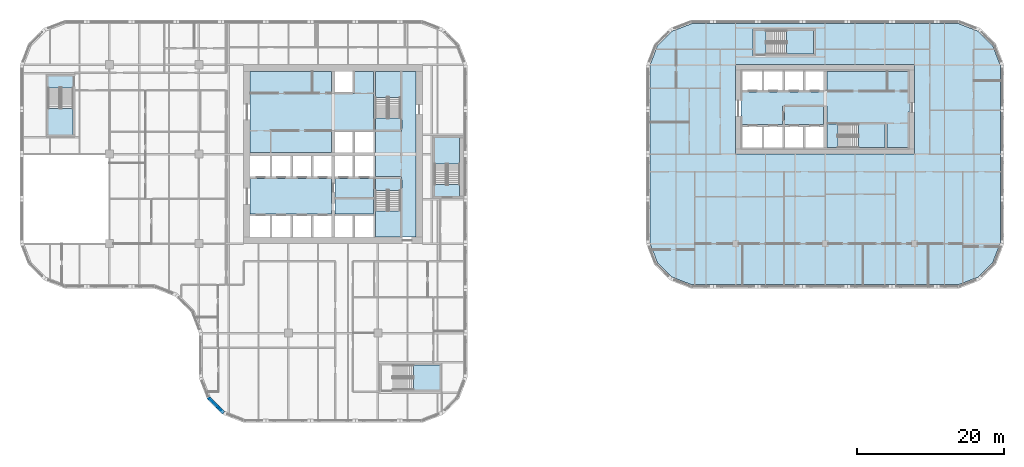
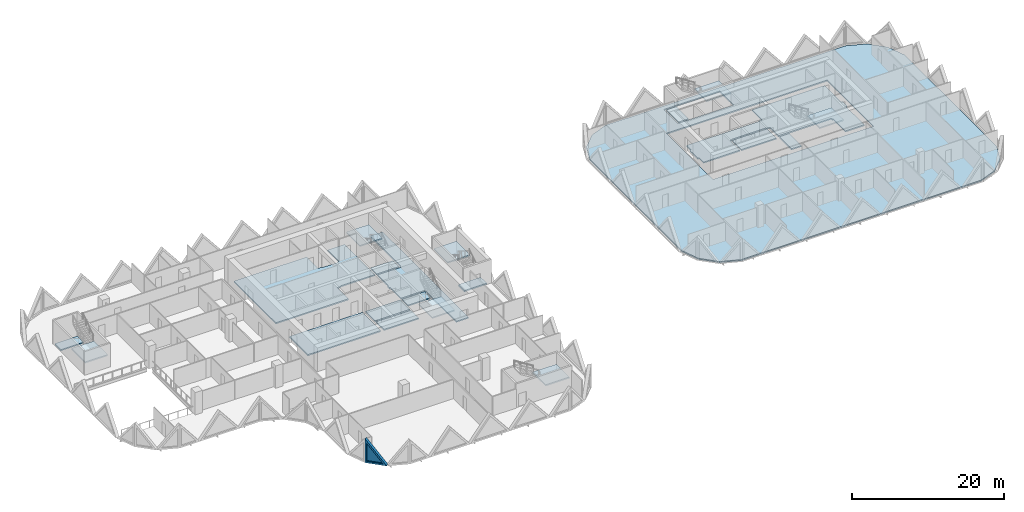
# One storey, part 3 of 19: 21 slabs, 1 plate, 1 wall, 1 opening, 7 elements without a shape of their own.
"""IFC4 building model written with IfcOpenShell, lengths in metres."""

from ifc_helpers import new_model, si_unit, direction, frame, origin, place, context, subcontext, project, spatial, polyline, outline, extrude, faceted_brep, source, transform, mapped, material, layer, layer_set, type_object, element, fill, aggregate, save


model = new_model("IFC4")

# Units and contexts
model_context = context("Model", 3, precision=1e-05, world=origin(), true_north=direction((0.0, 1.0)))
body_context = subcontext(model_context, "Body", "Model", "MODEL_VIEW")
ifc_project = project(units=[si_unit("LENGTHUNIT", "METRE"), si_unit("AREAUNIT", "SQUARE_METRE"), si_unit("VOLUMEUNIT", "CUBIC_METRE"), si_unit("PLANEANGLEUNIT", "RADIAN"), si_unit("MASSUNIT", "GRAM", prefix="KILO")], contexts=[model_context])

# Site, building, storey
site_placement = place(None, origin())
site = spatial("IfcSite", under=ifc_project, at=site_placement, CompositionType="ELEMENT")
building_placement = place(site_placement, origin())
building = spatial("IfcBuilding", under=site, at=building_placement, Name="Tessera Gate Towers", CompositionType="ELEMENT")
storey_placement = place(building_placement, frame((0.0, 0.0, 25.800048828125)))
storey = spatial("IfcBuildingStorey", under=building, at=storey_placement, Name="L05", CompositionType="ELEMENT", Elevation=25.800048828125)

# Slabs
ifc_material_1 = material(Name="Concrete C35/45", Category="concrete")
ifc_layer_1 = layer(ifc_material_1, 0.199951171875)
ifc_layer_set_1 = layer_set([ifc_layer_1], Name="COMPOSITE FLOOR 200")
slab_type_1 = type_object("IfcSlabType", Name="COMPOSITE FLOOR 200", PredefinedType="FLOOR", material=ifc_layer_set_1)
slab_1_placement = place(storey_placement, frame((0.0, 0.0, -0.199951171875)))
element("IfcSlab", 1, at=slab_1_placement, inside=storey, type_object=slab_type_1, Name="T2-L05", PredefinedType="FLOOR", context=body_context, shape_type="SweptSolid", body=[
    extrude(outline(polyline([(85.89990234375, 24.4931640625), (86.926025390625, 21.8330078125), (88.93310546875, 19.826171875), (91.593017578125, 18.800048828125), (128.0068359375, 18.800048828125), (130.6669921875, 19.826171875), (132.673828125, 21.8330078125), (133.699951171875, 24.4931640625), (133.699951171875, 48.706787109375), (132.673828125, 51.366943359375), (130.6669921875, 53.373779296875), (128.0068359375, 54.39990234375), (91.593017578125, 54.39990234375), (88.93310546875, 53.373779296875), (86.926025390625, 51.366943359375), (85.89990234375, 48.706787109375), (85.89990234375, 24.4931640625)]), holes=[polyline([(97.60009765625, 36.60009765625), (97.60009765625, 48.800048828125), (122.0, 48.800048828125), (122.0, 36.60009765625), (97.60009765625, 36.60009765625)]), polyline([(100.0, 50.0), (100.0, 53.699951171875), (108.5, 53.699951171875), (108.5, 50.0), (100.0, 50.0)])]), origin(), (0.0, 0.0, 1.0), 0.199951171875),
])
ifc_material_2 = material(Name="Concrete C35/45", Category="concrete")
ifc_layer_2 = layer(ifc_material_2, 0.199951171875)
ifc_layer_set_2 = layer_set([ifc_layer_2], Name="CORE FLOOR SLAB 200")
slab_type_2 = type_object("IfcSlabType", Name="CORE FLOOR SLAB 200", PredefinedType="FLOOR", material=ifc_layer_set_2)
slab_2_placement = place(storey_placement, frame((0.0, 0.0, -0.199951171875)))
element("IfcSlab", 2, at=slab_2_placement, inside=storey, type_object=slab_type_2, Name="L05 core floor slab", PredefinedType="FLOOR", context=body_context, shape_type="SweptSolid", body=[
    extrude(outline(polyline([(31.39990234375, 47.89990234375), (31.39990234375, 36.85009765625), (42.449951171875, 36.85009765625), (42.449951171875, 39.800048828125), (42.949951171875, 39.800048828125), (42.949951171875, 39.925048828125), (48.22509765625, 39.925048828125), (48.22509765625, 47.89990234375), (45.64990234375, 47.89990234375), (45.64990234375, 44.89990234375), (45.39990234375, 44.89990234375), (45.39990234375, 44.77490234375), (42.949951171875, 44.77490234375), (42.949951171875, 44.89990234375), (42.449951171875, 44.89990234375), (42.449951171875, 47.89990234375), (31.39990234375, 47.89990234375)])), origin(), (0.0, 0.0, 1.0), 0.199951171875),
])
slab_3_placement = place(storey_placement, frame((0.0, 0.0, -0.199951171875)))
element("IfcSlab", 3, at=slab_3_placement, inside=storey, type_object=slab_type_2, Name="L05 core floor slab", PredefinedType="FLOOR", context=body_context, shape_type="SweptSolid", body=[
    extrude(outline(polyline([(48.35009765625, 36.85009765625), (48.35009765625, 36.35009765625), (48.47509765625, 36.35009765625), (48.47509765625, 33.52490234375), (52.0, 33.52490234375), (52.0, 33.27490234375), (52.125, 33.27490234375), (52.125, 25.300048828125), (54.0, 25.300048828125), (54.0, 47.89990234375), (52.125, 47.89990234375), (52.125, 39.925048828125), (52.0, 39.925048828125), (52.0, 39.675048828125), (48.47509765625, 39.675048828125), (48.47509765625, 36.85009765625), (48.35009765625, 36.85009765625)])), origin(), (0.0, 0.0, 1.0), 0.199951171875),
])
slab_4_placement = place(storey_placement, frame((0.0, 0.0, -0.199951171875)))
element("IfcSlab", 4, at=slab_4_placement, inside=storey, type_object=slab_type_2, Name="L05 core floor slab", PredefinedType="FLOOR", context=body_context, shape_type="SweptSolid", body=[
    extrude(outline(polyline([(42.449951171875, 28.425048828125), (42.449951171875, 33.27490234375), (31.39990234375, 33.27490234375), (31.39990234375, 28.425048828125), (42.449951171875, 28.425048828125)])), origin(), (0.0, 0.0, 1.0), 0.199951171875),
])
slab_5_placement = place(storey_placement, frame((0.0, 0.0, -0.199951171875)))
element("IfcSlab", 5, at=slab_5_placement, inside=storey, type_object=slab_type_2, Name="L05 core floor slab", PredefinedType="FLOOR", context=body_context, shape_type="SweptSolid", body=[
    extrude(outline(polyline([(42.949951171875, 33.27490234375), (42.949951171875, 30.72509765625), (48.22509765625, 30.72509765625), (48.22509765625, 33.27490234375), (42.949951171875, 33.27490234375)])), origin(), (0.0, 0.0, 1.0), 0.199951171875),
])
slab_6_placement = place(storey_placement, frame((0.0, 0.0, -0.199951171875)))
element("IfcSlab", 6, at=slab_6_placement, inside=storey, type_object=slab_type_2, Name="L05 core floor slab", PredefinedType="FLOOR", context=body_context, shape_type="SweptSolid", body=[
    extrude(outline(polyline([(42.949951171875, 30.47509765625), (42.949951171875, 28.425048828125), (48.22509765625, 28.425048828125), (48.22509765625, 30.47509765625), (42.949951171875, 30.47509765625)])), origin(), (0.0, 0.0, 1.0), 0.199951171875),
])
slab_7_placement = place(storey_placement, frame((0.0, 0.0, -0.199951171875)))
element("IfcSlab", 7, at=slab_7_placement, inside=storey, type_object=slab_type_2, Name="L05 core floor slab", PredefinedType="FLOOR", context=body_context, shape_type="SweptSolid", body=[
    extrude(outline(polyline([(51.875, 31.675048828125), (51.875, 33.27490234375), (48.47509765625, 33.27490234375), (48.47509765625, 31.675048828125), (51.875, 31.675048828125)])), origin(), (0.0, 0.0, 1.0), 0.199951171875),
])
slab_8_placement = place(storey_placement, frame((0.0, 0.0, -0.199951171875)))
element("IfcSlab", 8, at=slab_8_placement, inside=storey, type_object=slab_type_2, Name="L05 core floor slab", PredefinedType="FLOOR", context=body_context, shape_type="SweptSolid", body=[
    extrude(outline(polyline([(48.47509765625, 41.52490234375), (48.47509765625, 39.925048828125), (51.875, 39.925048828125), (51.875, 41.52490234375), (48.47509765625, 41.52490234375)])), origin(), (0.0, 0.0, 1.0), 0.199951171875),
])
slab_9_placement = place(storey_placement, frame((0.0, 0.0, -0.199951171875)))
element("IfcSlab", 9, at=slab_9_placement, inside=storey, type_object=slab_type_2, Name="L05 ST3 floor landing", PredefinedType="FLOOR", context=body_context, shape_type="SweptSolid", body=[
    extrude(outline(polyline([(3.85009765625, 47.25), (3.85009765625, 45.64990234375), (7.25, 45.64990234375), (7.25, 47.25), (3.85009765625, 47.25)])), origin(), (0.0, 0.0, 1.0), 0.199951171875),
])
slab_10_placement = place(storey_placement, frame((0.0, 0.0, -0.199951171875)))
element("IfcSlab", 10, at=slab_10_placement, inside=storey, type_object=slab_type_2, Name="L05 ST5 floor landing", PredefinedType="FLOOR", context=body_context, shape_type="SweptSolid", body=[
    extrude(outline(polyline([(59.949951171875, 30.85009765625), (59.949951171875, 32.449951171875), (56.550048828125, 32.449951171875), (56.550048828125, 30.85009765625), (59.949951171875, 30.85009765625)])), origin(), (0.0, 0.0, 1.0), 0.199951171875),
])
slab_11_placement = place(storey_placement, frame((0.0, 0.0, -0.199951171875)))
element("IfcSlab", 11, at=slab_11_placement, inside=storey, type_object=slab_type_2, Name="L05 core floor slab", PredefinedType="FLOOR", context=body_context, shape_type="SweptSolid", body=[
    extrude(outline(polyline([(109.550048828125, 45.199951171875), (109.550048828125, 45.074951171875), (98.5, 45.074951171875), (98.5, 43.89990234375), (98.300048828125, 43.89990234375), (98.300048828125, 41.800048828125), (98.5, 41.800048828125), (98.5, 40.625), (104.02490234375, 40.625), (104.02490234375, 43.199951171875), (104.27490234375, 43.199951171875), (104.27490234375, 43.324951171875), (109.550048828125, 43.324951171875), (109.550048828125, 43.199951171875), (110.050048828125, 43.199951171875), (110.050048828125, 40.949951171875), (118.10009765625, 40.949951171875), (118.10009765625, 40.699951171875), (118.22509765625, 40.699951171875), (118.22509765625, 37.5), (121.10009765625, 37.5), (121.10009765625, 42.35009765625), (121.300048828125, 42.35009765625), (121.300048828125, 43.550048828125), (121.10009765625, 43.550048828125), (121.10009765625, 47.89990234375), (110.050048828125, 47.89990234375), (110.050048828125, 45.199951171875), (109.550048828125, 45.199951171875)])), origin(), (0.0, 0.0, 1.0), 0.199951171875),
])
slab_12_placement = place(storey_placement, frame((0.0, 0.0, -0.199951171875)))
element("IfcSlab", 12, at=slab_12_placement, inside=storey, type_object=slab_type_2, Name="L05 core floor slab", PredefinedType="FLOOR", context=body_context, shape_type="SweptSolid", body=[
    extrude(outline(polyline([(109.550048828125, 43.074951171875), (104.27490234375, 43.074951171875), (104.27490234375, 40.625), (109.550048828125, 40.625), (109.550048828125, 43.074951171875)])), origin(), (0.0, 0.0, 1.0), 0.199951171875),
])
slab_13_placement = place(storey_placement, frame((0.0, 0.0, -0.199951171875)))
element("IfcSlab", 13, at=slab_13_placement, inside=storey, type_object=slab_type_2, Name="L05 core floor slab", PredefinedType="FLOOR", context=body_context, shape_type="SweptSolid", body=[
    extrude(outline(polyline([(111.550048828125, 37.5), (111.550048828125, 40.699951171875), (110.050048828125, 40.699951171875), (110.050048828125, 37.5), (111.550048828125, 37.5)])), origin(), (0.0, 0.0, 1.0), 0.199951171875),
])
slab_14_placement = place(storey_placement, frame((0.0, 0.0, -0.199951171875)))
element("IfcSlab", 14, at=slab_14_placement, inside=storey, type_object=slab_type_2, Name="L05 ST7 floor landing", PredefinedType="FLOOR", context=body_context, shape_type="SweptSolid", body=[
    extrude(outline(polyline([(100.25, 50.25), (101.75, 50.25), (101.75, 53.449951171875), (100.25, 53.449951171875), (100.25, 50.25)])), origin(), (0.0, 0.0, 1.0), 0.199951171875),
])

# Stair, slab
ifc_material_3 = material(Name="Concrete C40/50", Category="concrete")
stair_type_1 = type_object("IfcStairType", Name="EXIT STAIR ST1 1600", PredefinedType="HALF_TURN_STAIR", material=ifc_material_3)
stair_1_placement = place(storey_placement, origin())
stair_1 = element("IfcStair", 15, at=stair_1_placement, inside=storey, type_object=stair_type_1, Name="L05 Protected Exit Stair ST1", PredefinedType="HALF_TURN_STAIR")
ifc_material_4 = material(Name="Concrete C40/50", Category="concrete")
ifc_layer_3 = layer(ifc_material_4, 0.199951171875)
ifc_layer_set_3 = layer_set([ifc_layer_3], Name="EXIT STAIR LANDING 200")
slab_type_3 = type_object("IfcSlabType", Name="EXIT STAIR LANDING 200", PredefinedType="LANDING", material=ifc_layer_set_3)
slab_15_placement = place(storey_placement, frame((0.0, 0.0, 1.699951171875)))
slab_15 = element("IfcSlab", 16, at=slab_15_placement, type_object=slab_type_3, Name="ST1 landing 1", PredefinedType="LANDING", context=body_context, shape_type="SweptSolid", body=[
    extrude(outline(polyline([(48.47509765625, 28.875), (48.47509765625, 25.300048828125), (51.875, 25.300048828125), (51.875, 28.875), (48.47509765625, 28.875)])), origin(), (0.0, 0.0, 1.0), 0.199951171875),
])
aggregate(stair_1, [slab_15])

ifc_material_5 = material(Name="Concrete C40/50", Category="concrete")
stair_type_2 = type_object("IfcStairType", Name="EXIT STAIR ST2 1600", PredefinedType="HALF_TURN_STAIR", material=ifc_material_5)
stair_2_placement = place(storey_placement, origin())
stair_2 = element("IfcStair", 17, at=stair_2_placement, inside=storey, type_object=stair_type_2, Name="L05 Protected Exit Stair ST2", PredefinedType="HALF_TURN_STAIR")
slab_16_placement = place(storey_placement, frame((0.0, 0.0, 1.699951171875)))
slab_16 = element("IfcSlab", 18, at=slab_16_placement, type_object=slab_type_3, Name="ST2 landing 1", PredefinedType="LANDING", context=body_context, shape_type="SweptSolid", body=[
    extrude(outline(polyline([(51.875, 44.324951171875), (51.875, 47.89990234375), (48.47509765625, 47.89990234375), (48.47509765625, 44.324951171875), (51.875, 44.324951171875)])), origin(), (0.0, 0.0, 1.0), 0.199951171875),
])
aggregate(stair_2, [slab_16])

ifc_material_6 = material(Name="Concrete C40/50", Category="concrete")
stair_type_3 = type_object("IfcStairType", Name="EXIT STAIR ST3 1600", PredefinedType="HALF_TURN_STAIR", material=ifc_material_6)
stair_3_placement = place(storey_placement, origin())
stair_3 = element("IfcStair", 19, at=stair_3_placement, inside=storey, type_object=stair_type_3, Name="L05 West Exit Stair ST3", PredefinedType="HALF_TURN_STAIR")
slab_17_placement = place(storey_placement, frame((0.0, 0.0, 1.699951171875)))
slab_17 = element("IfcSlab", 20, at=slab_17_placement, type_object=slab_type_3, Name="ST3 landing 1", PredefinedType="LANDING", context=body_context, shape_type="SweptSolid", body=[
    extrude(outline(polyline([(3.85009765625, 42.85009765625), (3.85009765625, 39.25), (7.25, 39.25), (7.25, 42.85009765625), (3.85009765625, 42.85009765625)])), origin(), (0.0, 0.0, 1.0), 0.199951171875),
])
aggregate(stair_3, [slab_17])

ifc_material_7 = material(Name="Concrete C40/50", Category="concrete")
stair_type_4 = type_object("IfcStairType", Name="EXIT STAIR ST4 1600", PredefinedType="HALF_TURN_STAIR", material=ifc_material_7)
stair_4_placement = place(storey_placement, origin())
stair_4 = element("IfcStair", 21, at=stair_4_placement, inside=storey, type_object=stair_type_4, Name="L05 South Exit Stair ST4", PredefinedType="HALF_TURN_STAIR")
slab_18_placement = place(storey_placement, frame((0.0, 0.0, 1.699951171875)))
slab_18 = element("IfcSlab", 22, at=slab_18_placement, type_object=slab_type_3, Name="ST4 landing 1", PredefinedType="LANDING", context=body_context, shape_type="SweptSolid", body=[
    extrude(outline(polyline([(53.64990234375, 4.449951171875), (57.25, 4.449951171875), (57.25, 7.85009765625), (53.64990234375, 7.85009765625), (53.64990234375, 4.449951171875)])), origin(), (0.0, 0.0, 1.0), 0.199951171875),
])
aggregate(stair_4, [slab_18])

ifc_material_8 = material(Name="Concrete C40/50", Category="concrete")
stair_type_5 = type_object("IfcStairType", Name="EXIT STAIR ST5 1600", PredefinedType="HALF_TURN_STAIR", material=ifc_material_8)
stair_5_placement = place(storey_placement, origin())
stair_5 = element("IfcStair", 23, at=stair_5_placement, inside=storey, type_object=stair_type_5, Name="L05 East Exit Stair ST5", PredefinedType="HALF_TURN_STAIR")
slab_19_placement = place(storey_placement, frame((0.0, 0.0, 1.699951171875)))
slab_19 = element("IfcSlab", 24, at=slab_19_placement, type_object=slab_type_3, Name="ST5 landing 1", PredefinedType="LANDING", context=body_context, shape_type="SweptSolid", body=[
    extrude(outline(polyline([(59.949951171875, 35.25), (59.949951171875, 38.85009765625), (56.550048828125, 38.85009765625), (56.550048828125, 35.25), (59.949951171875, 35.25)])), origin(), (0.0, 0.0, 1.0), 0.199951171875),
])
aggregate(stair_5, [slab_19])

ifc_material_9 = material(Name="Concrete C40/50", Category="concrete")
stair_type_6 = type_object("IfcStairType", Name="EXIT STAIR ST6 1500", PredefinedType="HALF_TURN_STAIR", material=ifc_material_9)
stair_6_placement = place(storey_placement, origin())
stair_6 = element("IfcStair", 25, at=stair_6_placement, inside=storey, type_object=stair_type_6, Name="L05 Protected Exit Stair ST6", PredefinedType="HALF_TURN_STAIR")
slab_20_placement = place(storey_placement, frame((0.0, 0.0, 1.699951171875)))
slab_20 = element("IfcSlab", 26, at=slab_20_placement, type_object=slab_type_3, Name="ST6 landing 1", PredefinedType="LANDING", context=body_context, shape_type="SweptSolid", body=[
    extrude(outline(polyline([(114.35009765625, 37.5), (117.97509765625, 37.5), (117.97509765625, 40.699951171875), (114.35009765625, 40.699951171875), (114.35009765625, 37.5)])), origin(), (0.0, 0.0, 1.0), 0.199951171875),
])
aggregate(stair_6, [slab_20])

ifc_material_10 = material(Name="Concrete C40/50", Category="concrete")
stair_type_7 = type_object("IfcStairType", Name="EXIT STAIR ST7 1500", PredefinedType="HALF_TURN_STAIR", material=ifc_material_10)
stair_7_placement = place(storey_placement, origin())
stair_7 = element("IfcStair", 27, at=stair_7_placement, inside=storey, type_object=stair_type_7, Name="L05 North Exit Stair ST7", PredefinedType="HALF_TURN_STAIR")
slab_21_placement = place(storey_placement, frame((0.0, 0.0, 1.699951171875)))
slab_21 = element("IfcSlab", 28, at=slab_21_placement, type_object=slab_type_3, Name="ST7 landing 1", PredefinedType="LANDING", context=body_context, shape_type="SweptSolid", body=[
    extrude(outline(polyline([(104.550048828125, 50.25), (108.25, 50.25), (108.25, 53.449951171875), (104.550048828125, 53.449951171875), (104.550048828125, 50.25)])), origin(), (0.0, 0.0, 1.0), 0.199951171875),
])
aggregate(stair_7, [slab_21])

# Wall, opening, plate
ifc_material_11 = material(Name="Precast concrete C60/75 white", Category="concrete")
ifc_layer_4 = layer(ifc_material_11, 0.5)
ifc_layer_set_4 = layer_set([ifc_layer_4], Name="TS3 corner tessera")
wall_type = type_object("IfcWallType", Name="TS3 corner tessera", PredefinedType="SOLIDWALL", material=ifc_layer_set_4)
shared_shape_1 = source(origin(), body_context, "Body", "Brep", [
    faceted_brep([(2.9970703125, -0.25, 0.0), (0.052978515625, -0.25, 3.800048828125), (0.0, -0.25, 3.73193359375), (0.0, -0.25, 0.0), (0.10595703125, 0.25, 3.731689453125), (2.944091796875, 0.25, 0.068115234375), (2.944091796875, 0.25, 0.0), (0.10595703125, 0.25, 0.0), (0.052978515625, 0.0, 3.800048828125), (2.9970703125, 0.000244140625, 0.0)], [[[0, 1, 2, 3]], [[4, 5, 6, 7]], [[5, 4, 8, 1, 0, 9]], [[2, 1, 8]], [[7, 6, 9, 0, 3]], [[7, 3, 2, 8, 4]], [[9, 6, 5]]]),
])
wall_placement = place(storey_placement, frame((25.674560546875, 3.43115234375, 0.0), z_axis=(0.0, 0.0, 1.0), x_axis=(0.707106781187, -0.707106781187, 0.0)))
wall = element("IfcWall", 29, at=wall_placement, inside=storey, type_object=wall_type, Name="Precast corner tessera T1 TS3-0096", PredefinedType="SOLIDWALL", context=body_context, shape_type="MappedRepresentation", body=[
    mapped(shared_shape_1, transform((0.0, 0.0, 0.0), scale=1.0)),
])
shared_shape_2 = source(origin(), body_context, "Body", "SweptSolid", [
    extrude(outline(polyline([(2.487060546875, 0.25), (0.2529296875, 3.133544921875), (0.2529296875, 0.25), (2.487060546875, 0.25)])), frame((0.0, 0.260009765625, 0.0), z_axis=(0.0, -1.0, 0.0), x_axis=(1.0, 0.0, 0.0)), (0.0, 0.0, 1.0), 0.52001953125),
])
opening_placement = place(wall_placement, origin())
opening = element("IfcOpeningElement", 30, at=opening_placement, cuts=wall, Name="Opening T1-PL1-0140", PredefinedType="OPENING", context=body_context, shape_type="MappedRepresentation", body=[
    mapped(shared_shape_2, transform((0.0, 0.0, 0.0), scale=1.0)),
])
ifc_material_12 = material(Name="Low-e laminated glass", Category="glass")
ifc_layer_5 = layer(ifc_material_12, 0.06005859375)
ifc_layer_set_5 = layer_set([ifc_layer_5], Name="PL1 triangular pane")
plate_type = type_object("IfcPlateType", Name="PL1 triangular pane", PredefinedType="SHEET", material=ifc_layer_set_5)
shared_shape_3 = source(origin(), body_context, "Body", "SweptSolid", [
    extrude(outline(polyline([(2.487060546875, 0.25), (0.2529296875, 3.133544921875), (0.2529296875, 0.25), (2.487060546875, 0.25)])), frame((0.0, 0.030029296875, 0.0), z_axis=(0.0, -1.0, 0.0), x_axis=(1.0, 0.0, 0.0)), (0.0, 0.0, 1.0), 0.06005859375),
])
plate_placement = place(opening_placement, origin())
plate = element("IfcPlate", 31, at=plate_placement, inside=storey, type_object=plate_type, Name="Glass pane T1 PL1-0140", PredefinedType="SHEET", context=body_context, shape_type="MappedRepresentation", body=[
    mapped(shared_shape_3, transform((0.0, 0.0, 0.0), scale=1.0)),
])
fill(opening, plate)

save(model, "model.ifc")
